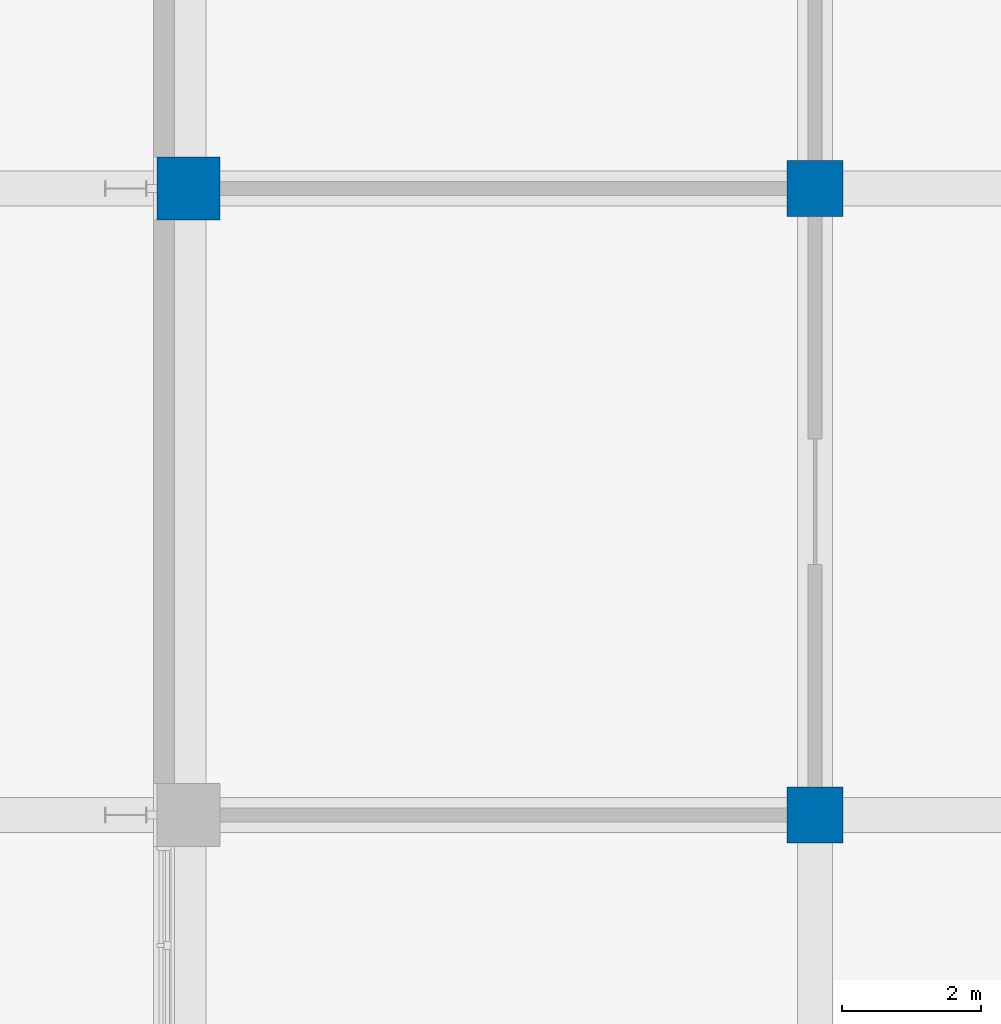
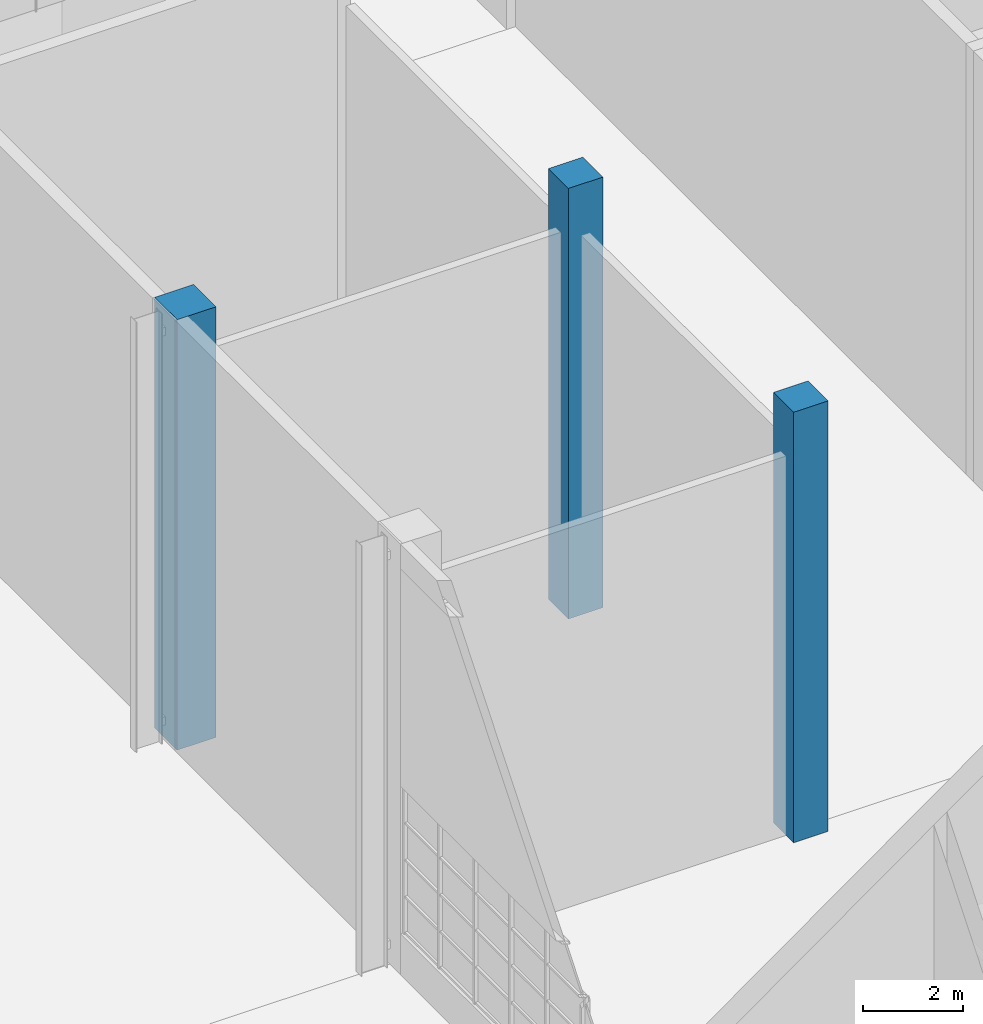
# One storey, part 2 of 182: 3 columns.
"""IFC4 building model written with IfcOpenShell, lengths in metres."""

from ifc_helpers import new_model, si_unit, direction, frame, origin, origin_2d, place, context, subcontext, project, spatial, rectangle, extrude, material, material_profile, profile_set, type_object, element, save


model = new_model("IFC4")

# Units and contexts
model_context = context("Model", 3, precision=1e-05, world=origin(), true_north=direction((0.0, 1.0)))
body_context = subcontext(model_context, "Body", "Model", "MODEL_VIEW")
ifc_project = project(units=[si_unit("LENGTHUNIT", "METRE"), si_unit("AREAUNIT", "SQUARE_METRE"), si_unit("VOLUMEUNIT", "CUBIC_METRE"), si_unit("PLANEANGLEUNIT", "RADIAN"), si_unit("MASSUNIT", "GRAM", prefix="KILO")], contexts=[model_context])

# Site, building, storey
site_placement = place(None, origin())
site = spatial("IfcSite", under=ifc_project, at=site_placement, CompositionType="ELEMENT")
building_placement = place(site_placement, origin())
building = spatial("IfcBuilding", under=site, at=building_placement, Name="Silverbay Arena", CompositionType="ELEMENT")
storey_placement = place(building_placement, frame((0.0, 0.0, 11.5)))
storey = spatial("IfcBuildingStorey", under=building, at=storey_placement, Name="L02", CompositionType="ELEMENT", Elevation=11.5)

# Columns
ifc_material_1 = material(Name="Concrete Grade C45", Category="concrete")
ifc_material_profile_1 = material_profile(ifc_material_1, rectangle(XDim=0.800048828125, YDim=0.800048828125, at=origin_2d()), Name="RC 800x800")
ifc_profile_set_1 = profile_set([ifc_material_profile_1], Name="Concrete Grade C45")
column_type_1 = type_object("IfcColumnType", Name="RC column 800x800", PredefinedType="COLUMN", material=ifc_profile_set_1)
for number, where, z_axis, x_axis, name in (
    (1, (63.0, 36.0, 0.0), (0.0, 0.0, 1.0), (1.0, 0.0, 0.0), "Column 8/E L02"),
    (2, (63.0, 45.0, 0.0), (0.0, 0.0, 1.0), (1.0, 0.0, 0.0), "Column 8/F L02"),
):
    element("IfcColumn", number, at=place(storey_placement, frame(where, z_axis=z_axis, x_axis=x_axis)), inside=storey, type_object=column_type_1, Name=name, PredefinedType="COLUMN", context=body_context, shape_type="SweptSolid", body=[
        extrude(rectangle(XDim=0.800048828125, YDim=0.800048828125, at=origin_2d()), origin(), (0.0, 0.0, 1.0), 10.5),
    ])
ifc_material_2 = material(Name="Concrete Grade C45", Category="concrete")
ifc_material_profile_2 = material_profile(ifc_material_2, rectangle(XDim=0.89990234375, YDim=0.89990234375, at=origin_2d()), Name="RC 900x900")
ifc_profile_set_2 = profile_set([ifc_material_profile_2], Name="Concrete Grade C45")
column_type_2 = type_object("IfcColumnType", Name="RC column 900x900", PredefinedType="COLUMN", material=ifc_profile_set_2)
column_placement = place(storey_placement, frame((54.0, 45.0, 0.0), z_axis=(0.0, 0.0, 1.0), x_axis=(1.0, 0.0, 0.0)))
element("IfcColumn", 3, at=column_placement, inside=storey, type_object=column_type_2, Name="Column 7/F L02", PredefinedType="COLUMN", context=body_context, shape_type="SweptSolid", body=[
    extrude(rectangle(XDim=0.89990234375, YDim=0.89990234375, at=origin_2d()), origin(), (0.0, 0.0, 1.0), 10.5),
])

save(model, "model.ifc")
